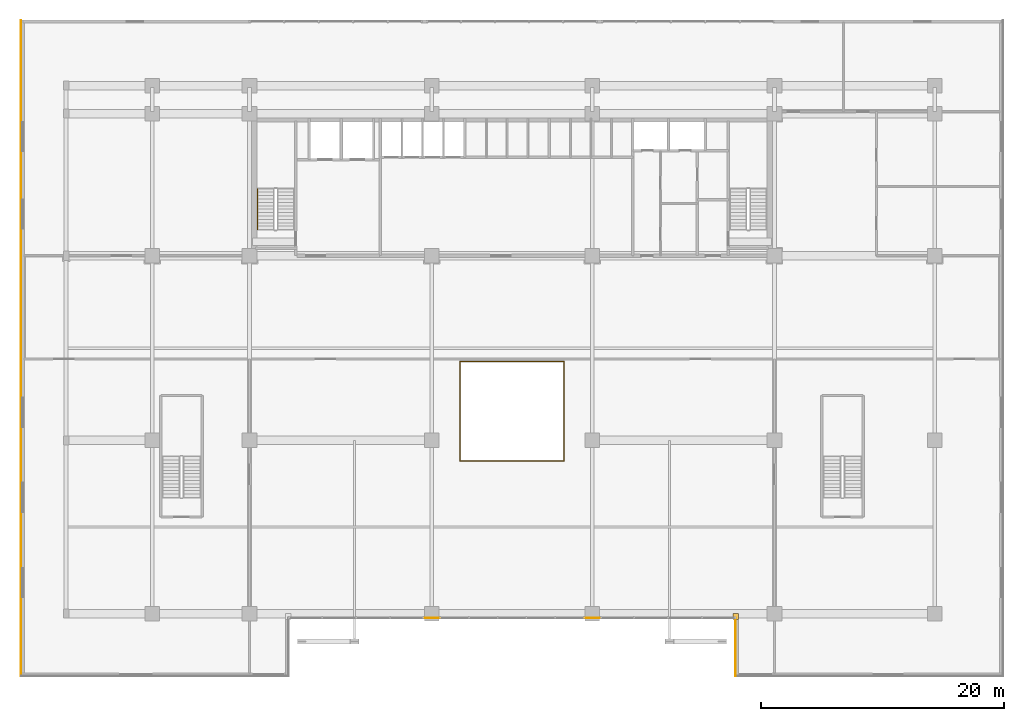
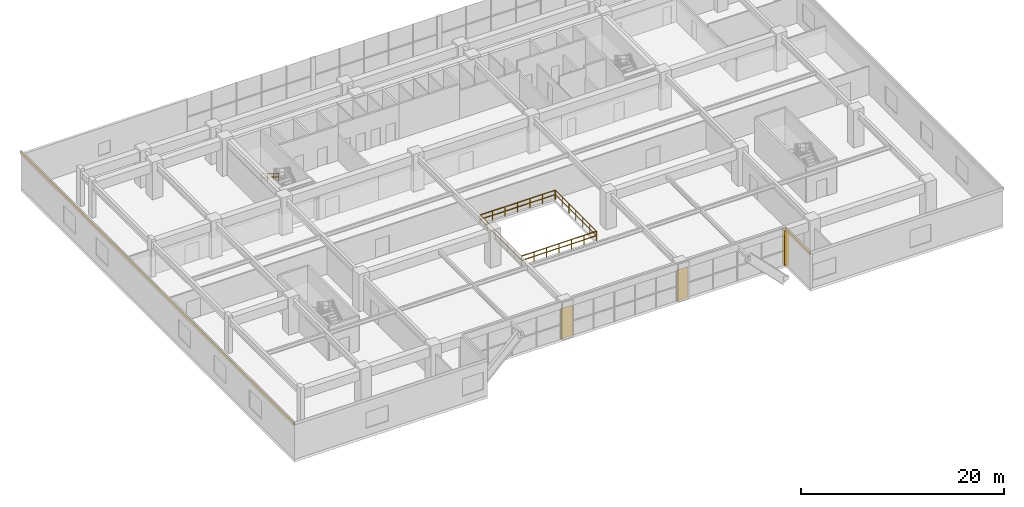
# One storey, part 20 of 24: 5 coverings, 5 railings.
"""IFC4 building model written with IfcOpenShell, lengths in metres."""

from ifc_helpers import new_model, si_unit, direction, frame, origin, origin_2d, place, context, subcontext, project, spatial, rectangle, extrude, source, transform, mapped, material, layer, layer_set, type_object, element, save


model = new_model("IFC4")

# Units and contexts
model_context = context("Model", 3, precision=1e-05, world=origin(), true_north=direction((0.0, 1.0)))
body_context = subcontext(model_context, "Body", "Model", "MODEL_VIEW")
ifc_project = project(units=[si_unit("LENGTHUNIT", "METRE"), si_unit("AREAUNIT", "SQUARE_METRE"), si_unit("VOLUMEUNIT", "CUBIC_METRE"), si_unit("PLANEANGLEUNIT", "RADIAN"), si_unit("MASSUNIT", "GRAM", prefix="KILO")], contexts=[model_context])

# Site, building, storey
site_placement = place(None, origin())
site = spatial("IfcSite", under=ifc_project, at=site_placement, CompositionType="ELEMENT")
building_placement = place(site_placement, origin())
building = spatial("IfcBuilding", under=site, at=building_placement, Name="Trelvane Seafront Commons", CompositionType="ELEMENT")
storey_placement = place(building_placement, frame((0.0, 0.0, 5.199951171875)))
storey = spatial("IfcBuildingStorey", under=building, at=storey_placement, Name="L01", CompositionType="ELEMENT", Elevation=5.199951171875)

# Railings
ifc_material_1 = material(Name="Stainless steel balustrade", Category="steel")
railing_type_1 = type_object("IfcRailingType", Name="ARCH-RAIL-BAL1150", PredefinedType="BALUSTRADE", material=ifc_material_1)
railing_1_placement = place(storey_placement, frame((32.919921875, 16.52001953125, 0.0)))
element("IfcRailing", 1, at=railing_1_placement, inside=storey, type_object=railing_type_1, Name="RL-L01-ATR-01", PredefinedType="BALUSTRADE", context=body_context, shape_type="SweptSolid", body=[
    extrude(rectangle(XDim=0.048095703125, YDim=0.048095703125, at=origin_2d()), frame((0.0, 0.0, 1.1259765625), z_axis=(1.0, 0.0, 0.0), x_axis=(0.0, 1.0, 0.0)), (0.0, 0.0, 1.0), 8.56005859375),
    extrude(rectangle(XDim=0.048095703125, YDim=0.048095703125, at=origin_2d()), frame((0.0, 0.0, 0.597900390625), z_axis=(1.0, 0.0, 0.0), x_axis=(0.0, 1.0, 0.0)), (0.0, 0.0, 1.0), 8.56005859375),
    extrude(rectangle(XDim=0.0419921875, YDim=0.0419921875, at=origin_2d()), origin(), (0.0, 0.0, 1.0), 1.1259765625),
    extrude(rectangle(XDim=0.0419921875, YDim=0.0419921875, at=origin_2d()), frame((1.4267578125, 0.0, 0.0)), (0.0, 0.0, 1.0), 1.1259765625),
    extrude(rectangle(XDim=0.0419921875, YDim=0.0419921875, at=origin_2d()), frame((2.853271484375, 0.0, 0.0)), (0.0, 0.0, 1.0), 1.1259765625),
    extrude(rectangle(XDim=0.0419921875, YDim=0.0419921875, at=origin_2d()), frame((4.280029296875, 0.0, 0.0)), (0.0, 0.0, 1.0), 1.1259765625),
    extrude(rectangle(XDim=0.0419921875, YDim=0.0419921875, at=origin_2d()), frame((5.706787109375, 0.0, 0.0)), (0.0, 0.0, 1.0), 1.1259765625),
    extrude(rectangle(XDim=0.0419921875, YDim=0.0419921875, at=origin_2d()), frame((7.13330078125, 0.0, 0.0)), (0.0, 0.0, 1.0), 1.1259765625),
    extrude(rectangle(XDim=0.0419921875, YDim=0.0419921875, at=origin_2d()), frame((8.56005859375, 0.0, 0.0)), (0.0, 0.0, 1.0), 1.1259765625),
])
railing_2_placement = place(storey_placement, frame((41.47998046875, 16.52001953125, 0.0)))
element("IfcRailing", 2, at=railing_2_placement, inside=storey, type_object=railing_type_1, Name="RL-L01-ATR-02", PredefinedType="BALUSTRADE", context=body_context, shape_type="SweptSolid", body=[
    extrude(rectangle(XDim=0.048095703125, YDim=0.048095703125, at=origin_2d()), frame((0.0, 0.0, 1.1259765625), z_axis=(0.0, 1.0, 0.0), x_axis=(-1.0, 0.0, 0.0)), (0.0, 0.0, 1.0), 8.159912109375),
    extrude(rectangle(XDim=0.048095703125, YDim=0.048095703125, at=origin_2d()), frame((0.0, 0.0, 0.597900390625), z_axis=(0.0, 1.0, 0.0), x_axis=(-1.0, 0.0, 0.0)), (0.0, 0.0, 1.0), 8.159912109375),
    extrude(rectangle(XDim=0.0419921875, YDim=0.0419921875, at=origin_2d()), origin(), (0.0, 0.0, 1.0), 1.1259765625),
    extrude(rectangle(XDim=0.0419921875, YDim=0.0419921875, at=origin_2d()), frame((0.0, 1.35986328125, 0.0)), (0.0, 0.0, 1.0), 1.1259765625),
    extrude(rectangle(XDim=0.0419921875, YDim=0.0419921875, at=origin_2d()), frame((0.0, 2.719970703125, 0.0)), (0.0, 0.0, 1.0), 1.1259765625),
    extrude(rectangle(XDim=0.0419921875, YDim=0.0419921875, at=origin_2d()), frame((0.0, 4.080078125, 0.0)), (0.0, 0.0, 1.0), 1.1259765625),
    extrude(rectangle(XDim=0.0419921875, YDim=0.0419921875, at=origin_2d()), frame((0.0, 5.43994140625, 0.0)), (0.0, 0.0, 1.0), 1.1259765625),
    extrude(rectangle(XDim=0.0419921875, YDim=0.0419921875, at=origin_2d()), frame((0.0, 6.7998046875, 0.0)), (0.0, 0.0, 1.0), 1.1259765625),
    extrude(rectangle(XDim=0.0419921875, YDim=0.0419921875, at=origin_2d()), frame((0.0, 8.159912109375, 0.0)), (0.0, 0.0, 1.0), 1.1259765625),
])
railing_3_placement = place(storey_placement, frame((41.47998046875, 24.679931640625, 0.0)))
element("IfcRailing", 3, at=railing_3_placement, inside=storey, type_object=railing_type_1, Name="RL-L01-ATR-03", PredefinedType="BALUSTRADE", context=body_context, shape_type="SweptSolid", body=[
    extrude(rectangle(XDim=0.048095703125, YDim=0.048095703125, at=origin_2d()), frame((0.0, 0.0, 1.1259765625), z_axis=(-1.0, 0.0, 0.0), x_axis=(0.0, -1.0, 0.0)), (0.0, 0.0, 1.0), 8.56005859375),
    extrude(rectangle(XDim=0.048095703125, YDim=0.048095703125, at=origin_2d()), frame((0.0, 0.0, 0.597900390625), z_axis=(-1.0, 0.0, 0.0), x_axis=(0.0, -1.0, 0.0)), (0.0, 0.0, 1.0), 8.56005859375),
    extrude(rectangle(XDim=0.0419921875, YDim=0.0419921875, at=origin_2d()), origin(), (0.0, 0.0, 1.0), 1.1259765625),
    extrude(rectangle(XDim=0.0419921875, YDim=0.0419921875, at=origin_2d()), frame((-1.4267578125, 0.0, 0.0)), (0.0, 0.0, 1.0), 1.1259765625),
    extrude(rectangle(XDim=0.0419921875, YDim=0.0419921875, at=origin_2d()), frame((-2.853271484375, 0.0, 0.0)), (0.0, 0.0, 1.0), 1.1259765625),
    extrude(rectangle(XDim=0.0419921875, YDim=0.0419921875, at=origin_2d()), frame((-4.280029296875, 0.0, 0.0)), (0.0, 0.0, 1.0), 1.1259765625),
    extrude(rectangle(XDim=0.0419921875, YDim=0.0419921875, at=origin_2d()), frame((-5.706787109375, 0.0, 0.0)), (0.0, 0.0, 1.0), 1.1259765625),
    extrude(rectangle(XDim=0.0419921875, YDim=0.0419921875, at=origin_2d()), frame((-7.13330078125, 0.0, 0.0)), (0.0, 0.0, 1.0), 1.1259765625),
    extrude(rectangle(XDim=0.0419921875, YDim=0.0419921875, at=origin_2d()), frame((-8.56005859375, 0.0, 0.0)), (0.0, 0.0, 1.0), 1.1259765625),
])
railing_4_placement = place(storey_placement, frame((32.919921875, 24.679931640625, 0.0)))
element("IfcRailing", 4, at=railing_4_placement, inside=storey, type_object=railing_type_1, Name="RL-L01-ATR-04", PredefinedType="BALUSTRADE", context=body_context, shape_type="SweptSolid", body=[
    extrude(rectangle(XDim=0.048095703125, YDim=0.048095703125, at=origin_2d()), frame((0.0, 0.0, 1.1259765625), z_axis=(0.0, -1.0, 0.0), x_axis=(1.0, 0.0, 0.0)), (0.0, 0.0, 1.0), 8.159912109375),
    extrude(rectangle(XDim=0.048095703125, YDim=0.048095703125, at=origin_2d()), frame((0.0, 0.0, 0.597900390625), z_axis=(0.0, -1.0, 0.0), x_axis=(1.0, 0.0, 0.0)), (0.0, 0.0, 1.0), 8.159912109375),
    extrude(rectangle(XDim=0.0419921875, YDim=0.0419921875, at=origin_2d()), origin(), (0.0, 0.0, 1.0), 1.1259765625),
    extrude(rectangle(XDim=0.0419921875, YDim=0.0419921875, at=origin_2d()), frame((0.0, -1.35986328125, 0.0)), (0.0, 0.0, 1.0), 1.1259765625),
    extrude(rectangle(XDim=0.0419921875, YDim=0.0419921875, at=origin_2d()), frame((0.0, -2.719970703125, 0.0)), (0.0, 0.0, 1.0), 1.1259765625),
    extrude(rectangle(XDim=0.0419921875, YDim=0.0419921875, at=origin_2d()), frame((0.0, -4.080078125, 0.0)), (0.0, 0.0, 1.0), 1.1259765625),
    extrude(rectangle(XDim=0.0419921875, YDim=0.0419921875, at=origin_2d()), frame((0.0, -5.43994140625, 0.0)), (0.0, 0.0, 1.0), 1.1259765625),
    extrude(rectangle(XDim=0.0419921875, YDim=0.0419921875, at=origin_2d()), frame((0.0, -6.7998046875, 0.0)), (0.0, 0.0, 1.0), 1.1259765625),
    extrude(rectangle(XDim=0.0419921875, YDim=0.0419921875, at=origin_2d()), frame((0.0, -8.159912109375, 0.0)), (0.0, 0.0, 1.0), 1.1259765625),
])
railing_type_2 = type_object("IfcRailingType", Name="ARCH-SRL-HAND", PredefinedType="HANDRAIL", material=ifc_material_1)
railing_5_placement = place(storey_placement, frame((16.25, 38.909912109375, 2.423095703125)))
element("IfcRailing", 5, at=railing_5_placement, inside=storey, type_object=railing_type_2, Name="L01 ST-1 stair handrail 2", PredefinedType="HANDRAIL", context=body_context, shape_type="SweptSolid", body=[
    extrude(rectangle(XDim=0.048095703125, YDim=0.048095703125, at=origin_2d()), frame((0.0, 0.0, 0.8759765625), z_axis=(0.0, -0.850606129759, 0.525803396734), x_axis=(1.0, 0.0, 0.0)), (0.0, 0.0, 1.0), 3.949951171875),
    extrude(rectangle(XDim=0.048095703125, YDim=0.048095703125, at=origin_2d()), frame((0.0, 0.0, 0.468017578125), z_axis=(0.0, -0.850606129759, 0.525803396734), x_axis=(1.0, 0.0, 0.0)), (0.0, 0.0, 1.0), 3.949951171875),
    extrude(rectangle(XDim=0.0419921875, YDim=0.0419921875, at=origin_2d()), origin(), (0.0, 0.0, 1.0), 0.8759765625),
    extrude(rectangle(XDim=0.0419921875, YDim=0.0419921875, at=origin_2d()), frame((0.0, -1.119873046875, 0.6923828125)), (0.0, 0.0, 1.0), 0.8759765625),
    extrude(rectangle(XDim=0.0419921875, YDim=0.0419921875, at=origin_2d()), frame((0.0, -2.239990234375, 1.384521484375)), (0.0, 0.0, 1.0), 0.8759765625),
    extrude(rectangle(XDim=0.0419921875, YDim=0.0419921875, at=origin_2d()), frame((0.0, -3.35986328125, 2.076904296875)), (0.0, 0.0, 1.0), 0.8759765625),
])

# Coverings
ifc_material_2 = material(Name="Anodised pale-silver aluminium", Category="aluminium")
ifc_layer = layer(ifc_material_2, 0.034912109375, Name="ARCH-COV-CLAD35")
ifc_layer_set = layer_set([ifc_layer], Name="Anodised pale-silver aluminium")
covering_type = type_object("IfcCoveringType", Name="ARCH-COV-CLAD35", PredefinedType="CLADDING", material=ifc_layer_set)
shared_shape_1 = source(origin(), body_context, "Body", "SweptSolid", [
    extrude(rectangle(XDim=54.0, YDim=0.034912109375, at=origin_2d()), origin(), (0.0, 0.0, 1.0), 0.340087890625),
])
covering_1_placement = place(storey_placement, frame((-3.199951171875, 25.800048828125, 4.16015625), z_axis=(0.0, 0.0, 1.0), x_axis=(0.0, 1.0, 0.0)))
element("IfcCovering", 6, at=covering_1_placement, inside=storey, type_object=covering_type, Name="CLD-L01-00012", PredefinedType="CLADDING", context=body_context, shape_type="MappedRepresentation", body=[
    mapped(shared_shape_1, transform((0.0, 0.0, 0.0), x_axis=(1.0, 0.0, 0.0), y_axis=(0.0, 1.0, 0.0), z_axis=(0.0, 0.0, 1.0), scale=1.0)),
])
shared_shape_2 = source(origin(), body_context, "Body", "SweptSolid", [
    extrude(rectangle(XDim=4.800048828125, YDim=0.034912109375, at=origin_2d()), origin(), (0.0, 0.0, 1.0), 0.340087890625),
])
covering_2_placement = place(storey_placement, frame((55.60009765625, 1.199951171875, 4.16015625), z_axis=(0.0, 0.0, 1.0), x_axis=(0.0, 1.0, 0.0)))
element("IfcCovering", 7, at=covering_2_placement, inside=storey, type_object=covering_type, Name="CLD-L01-00005", PredefinedType="CLADDING", context=body_context, shape_type="MappedRepresentation", body=[
    mapped(shared_shape_2, transform((0.0, 0.0, 0.0), x_axis=(1.0, 0.0, 0.0), y_axis=(0.0, 1.0, 0.0), z_axis=(0.0, 0.0, 1.0), scale=1.0)),
])
shared_shape_3 = source(origin(), body_context, "Body", "SweptSolid", [
    extrude(rectangle(XDim=1.300048828125, YDim=0.0400390625, at=origin_2d()), origin(), (0.0, 0.0, 1.0), 3.679931640625),
])
for number, where, z_axis, x_axis, name in (
    (8, (43.800048828125, 3.60009765625, 0.0), (0.0, 0.0, 1.0), (-1.0, 0.0, 0.0), "CLD-COL-L01-00006"),
    (9, (30.60009765625, 3.60009765625, 0.0), (0.0, 0.0, 1.0), (-1.0, 0.0, 0.0), "CLD-COL-L01-00007"),
):
    element("IfcCovering", number, at=place(storey_placement, frame(where, z_axis=z_axis, x_axis=x_axis)), inside=storey, type_object=covering_type, Name=name, PredefinedType="CLADDING", context=body_context, shape_type="MappedRepresentation", body=[
        mapped(shared_shape_3, transform((0.0, 0.0, 0.0), x_axis=(1.0, 0.0, 0.0), y_axis=(0.0, 1.0, 0.0), z_axis=(0.0, 0.0, 1.0), scale=1.0)),
    ])
shared_shape_4 = source(origin(), body_context, "Body", "SweptSolid", [
    extrude(rectangle(XDim=0.449951171875, YDim=0.5, at=origin_2d()), origin(), (0.0, 0.0, 1.0), 4.199951171875),
])
covering_3_placement = place(storey_placement, frame((55.60009765625, 3.719970703125, 0.0), z_axis=(0.0, 0.0, 1.0), x_axis=(1.0, 0.0, 0.0)))
element("IfcCovering", 10, at=covering_3_placement, inside=storey, type_object=covering_type, Name="CLD-VPC-L01-00008", PredefinedType="CLADDING", context=body_context, shape_type="MappedRepresentation", body=[
    mapped(shared_shape_4, transform((0.0, 0.0, 0.0), x_axis=(1.0, 0.0, 0.0), y_axis=(0.0, 1.0, 0.0), z_axis=(0.0, 0.0, 1.0), scale=1.0)),
])

save(model, "model.ifc")
